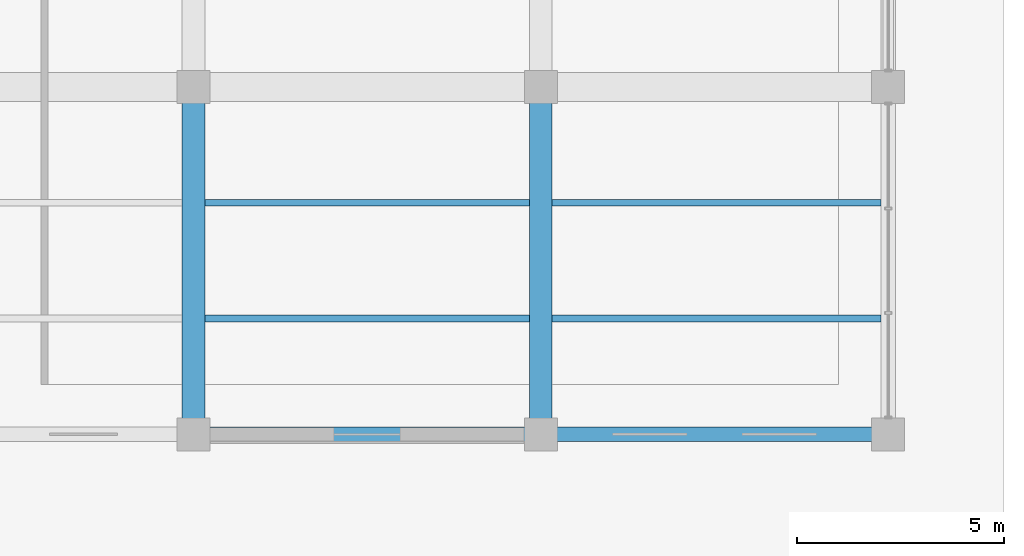
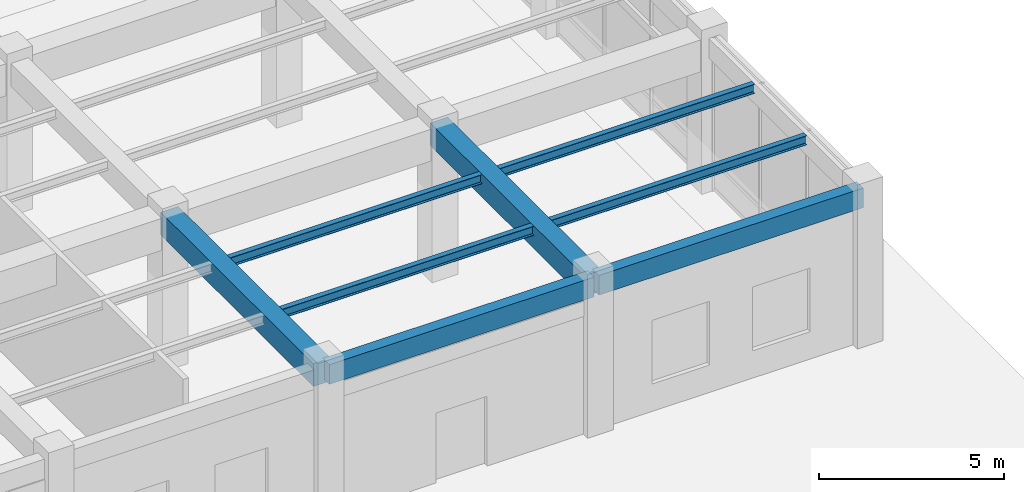
# One storey, part 92 of 157: 8 beams.
"""IFC4 building model written with IfcOpenShell, lengths in metres."""

from ifc_helpers import new_model, si_unit, direction, frame, origin, origin_2d, place, context, subcontext, project, spatial, rectangle, i_section, extrude, material, material_profile, profile_set, type_object, element, save


model = new_model("IFC4")

# Units and contexts
model_context = context("Model", 3, precision=1e-05, world=origin(), true_north=direction((0.0, 1.0)))
body_context = subcontext(model_context, "Body", "Model", "MODEL_VIEW")
ifc_project = project(units=[si_unit("LENGTHUNIT", "METRE"), si_unit("AREAUNIT", "SQUARE_METRE"), si_unit("VOLUMEUNIT", "CUBIC_METRE"), si_unit("PLANEANGLEUNIT", "RADIAN"), si_unit("MASSUNIT", "GRAM", prefix="KILO"), si_unit("THERMODYNAMICTEMPERATUREUNIT", "KELVIN"), si_unit("POWERUNIT", "WATT")], contexts=[model_context])

# Site, building, storey
site_placement = place(None, origin())
site = spatial("IfcSite", under=ifc_project, at=site_placement, CompositionType="ELEMENT")
building_placement = place(site_placement, origin())
building = spatial("IfcBuilding", under=site, at=building_placement, Name="Darbajah Civic Hall", CompositionType="ELEMENT")
storey_placement = place(building_placement, origin())
storey = spatial("IfcBuildingStorey", under=building, at=storey_placement, Name="L00", CompositionType="ELEMENT", Elevation=0.0)

# Beams
ifc_material_1 = material(Name="Concrete C45/55", Category="concrete")
ifc_material_profile_1 = material_profile(ifc_material_1, rectangle(XDim=0.550048828125, YDim=0.75, at=origin_2d()), Name="RC BEAM 550x750")
ifc_profile_set_1 = profile_set([ifc_material_profile_1], Name="Concrete C45/55")
beam_type_1 = type_object("IfcBeamType", Name="RC BEAM 550x750", PredefinedType="BEAM", material=ifc_profile_set_1)
for number, where, z_axis, x_axis, name in (
    (1, (161.39990234375, 56.47998046875, 4.68505859375), (0.0, 1.0, 0.0), (-1.0, 0.0, 0.0), "L00 beam BM-5575"),
    (2, (169.800048828125, 56.47998046875, 4.68505859375), (0.0, 1.0, 0.0), (-1.0, 0.0, 0.0), "L00 beam BM-5575"),
):
    element("IfcBeam", number, at=place(storey_placement, frame(where, z_axis=z_axis, x_axis=x_axis)), inside=storey, type_object=beam_type_1, Name=name, PredefinedType="BEAM", context=body_context, shape_type="SweptSolid", body=[
        extrude(rectangle(XDim=0.550048828125, YDim=0.75, at=origin_2d()), origin(), (0.0, 0.0, 1.0), 8.239990234375),
    ])
ifc_material_profile_2 = material_profile(ifc_material_1, rectangle(XDim=0.35009765625, YDim=0.64990234375, at=origin_2d()), Name="RC SPANDREL 350x650")
ifc_profile_set_2 = profile_set([ifc_material_profile_2], Name="Concrete C45/55")
beam_type_2 = type_object("IfcBeamType", Name="RC SPANDREL 350x650", PredefinedType="SPANDREL", material=ifc_profile_set_2)
beam_1_placement = place(storey_placement, frame((161.47998046875, 56.39990234375, 4.735107421875), z_axis=(1.0, 0.0, 0.0), x_axis=(0.0, 1.0, 0.0)))
element("IfcBeam", 3, at=beam_1_placement, inside=storey, type_object=beam_type_2, Name="L00 beam SP-3565", PredefinedType="SPANDREL", context=body_context, shape_type="SweptSolid", body=[
    extrude(rectangle(XDim=0.35009765625, YDim=0.64990234375, at=origin_2d()), origin(), (0.0, 0.0, 1.0), 8.239990234375),
])
beam_2_placement = place(storey_placement, frame((169.8798828125, 56.39990234375, 4.735107421875), z_axis=(1.0, 0.0, 0.0), x_axis=(0.0, 1.0, 0.0)))
element("IfcBeam", 4, at=beam_2_placement, inside=storey, type_object=beam_type_2, Name="L00 beam SP-3565", PredefinedType="SPANDREL", context=body_context, shape_type="SweptSolid", body=[
    extrude(rectangle(XDim=0.35009765625, YDim=0.64990234375, at=origin_2d()), origin(), (0.0, 0.0, 1.0), 8.240234375),
])
ifc_material_2 = material(Name="Steel S355JR", Category="steel")
ifc_material_profile_3 = material_profile(ifc_material_2, i_section(OverallWidth=0.165771484375, OverallDepth=0.306640625, WebThickness=0.006591796875, FlangeThickness=0.01171875, FilletRadius=0.0087890625, at=origin_2d()), Name="UB 305x165x46")
ifc_profile_set_3 = profile_set([ifc_material_profile_3], Name="Steel S355JR")
beam_type_3 = type_object("IfcBeamType", Name="UB 305x165x46", PredefinedType="JOIST", material=ifc_profile_set_3)
for number, where, z_axis, x_axis, name in (
    (5, (161.675048828125, 59.199951171875, 4.90673828125), (1.0, 0.0, 0.0), (0.0, 1.0, 0.0), "L00 beam SJ-305"),
    (6, (161.675048828125, 62.0, 4.90673828125), (1.0, 0.0, 0.0), (0.0, 1.0, 0.0), "L00 beam SJ-305"),
):
    element("IfcBeam", number, at=place(storey_placement, frame(where, z_axis=z_axis, x_axis=x_axis)), inside=storey, type_object=beam_type_3, Name=name, PredefinedType="JOIST", context=body_context, shape_type="SweptSolid", body=[
        extrude(i_section(OverallWidth=0.165771484375, OverallDepth=0.306640625, WebThickness=0.006591796875, FlangeThickness=0.01171875, FilletRadius=0.0087890625, at=origin_2d()), origin(), (0.0, 0.0, 1.0), 7.849853515625),
    ])
for number, where, z_axis, x_axis, name in (
    (7, (170.074951171875, 59.199951171875, 4.90673828125), (1.0, 0.0, 0.0), (0.0, 1.0, 0.0), "L00 beam SJ-305"),
    (8, (170.074951171875, 62.0, 4.90673828125), (1.0, 0.0, 0.0), (0.0, 1.0, 0.0), "L00 beam SJ-305"),
):
    element("IfcBeam", number, at=place(storey_placement, frame(where, z_axis=z_axis, x_axis=x_axis)), inside=storey, type_object=beam_type_3, Name=name, PredefinedType="JOIST", context=body_context, shape_type="SweptSolid", body=[
        extrude(i_section(OverallWidth=0.165771484375, OverallDepth=0.306640625, WebThickness=0.006591796875, FlangeThickness=0.01171875, FilletRadius=0.0087890625, at=origin_2d()), origin(), (0.0, 0.0, 1.0), 7.949951171875),
    ])

save(model, "model.ifc")
